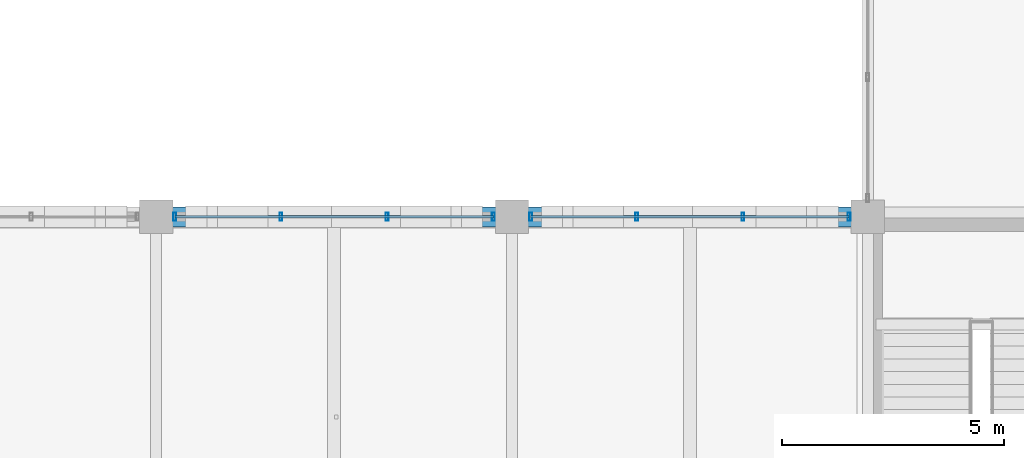
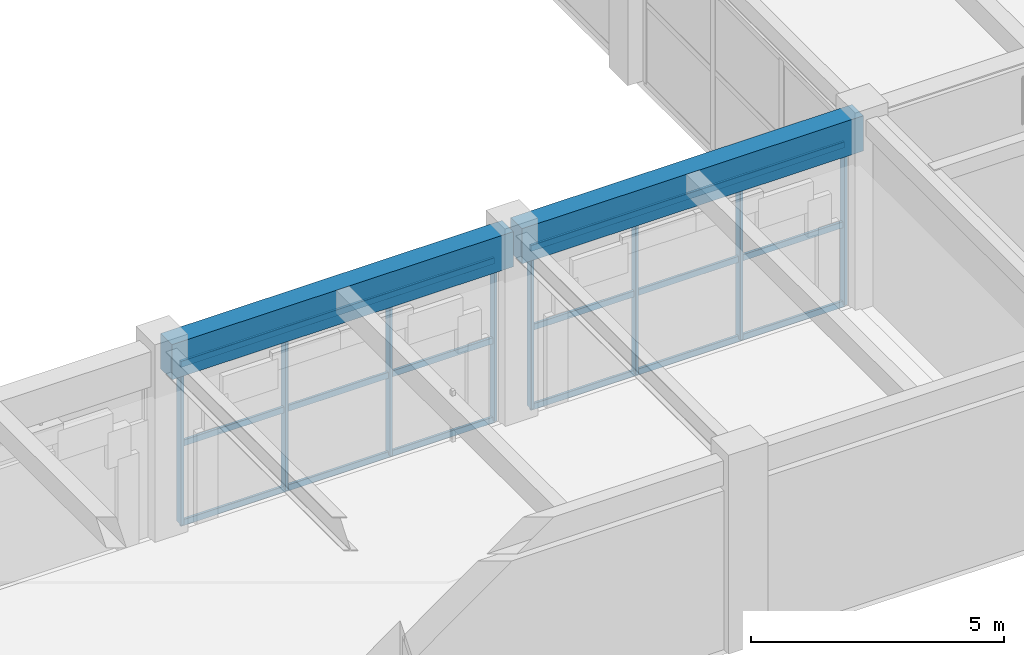
# One storey, part 73 of 144: 14 members, 2 beams, 2 elements without a shape of their own.
"""IFC4 building model written with IfcOpenShell, lengths in metres."""

from ifc_helpers import new_model, si_unit, direction, frame, origin, origin_2d, place, context, subcontext, project, spatial, rectangle, hollow_rectangle, extrude, material, material_profile, profile_set, type_object, element, aggregate, save


model = new_model("IFC4")

# Units and contexts
model_context = context("Model", 3, precision=1e-05, world=origin(), true_north=direction((0.0, 1.0)))
body_context = subcontext(model_context, "Body", "Model", "MODEL_VIEW")
ifc_project = project(units=[si_unit("LENGTHUNIT", "METRE"), si_unit("AREAUNIT", "SQUARE_METRE"), si_unit("VOLUMEUNIT", "CUBIC_METRE"), si_unit("PLANEANGLEUNIT", "RADIAN"), si_unit("MASSUNIT", "GRAM", prefix="KILO")], contexts=[model_context])

# Site, building, storey
site_placement = place(None, origin())
site = spatial("IfcSite", under=ifc_project, at=site_placement, CompositionType="ELEMENT")
building_placement = place(site_placement, origin())
building = spatial("IfcBuilding", under=site, at=building_placement, Name="Varnabhumi Central Station", CompositionType="ELEMENT")
storey_placement = place(building_placement, frame((0.0, 0.0, 4.800048828125)))
storey = spatial("IfcBuildingStorey", under=building, at=storey_placement, Name="L01", CompositionType="ELEMENT", Elevation=4.800048828125)

# Beams
ifc_material_1 = material(Name="Concrete M40", Category="concrete")
ifc_material_profile_1 = material_profile(ifc_material_1, rectangle(XDim=0.449951171875, YDim=0.85009765625, at=origin_2d()), Name="Concrete M40", Category="concrete")
ifc_profile_set_1 = profile_set([ifc_material_profile_1], Name="Concrete M40")
beam_type = type_object("IfcBeamType", Name="BM-RC-450x850", PredefinedType="BEAM", material=ifc_profile_set_1)
for number, where, z_axis, x_axis, name in (
    (1, (128.10009765625, 9.0, 4.125), (1.0, 0.0, 0.0), (0.0, 1.0, 0.0), "Beam L01-B:17-18"),
    (2, (136.10009765625, 9.0, 4.125), (1.0, 0.0, 0.0), (0.0, 1.0, 0.0), "Beam L01-B:18-19"),
):
    element("IfcBeam", number, at=place(storey_placement, frame(where, z_axis=z_axis, x_axis=x_axis)), inside=storey, type_object=beam_type, Name=name, PredefinedType="BEAM", context=body_context, shape_type="SweptSolid", body=[
        extrude(rectangle(XDim=0.449951171875, YDim=0.85009765625, at=origin_2d()), origin(), (0.0, 0.0, 1.0), 7.7998046875),
    ])

# Curtain wall, members
ifc_material_2 = material(Name="Anodised aluminium 6063-T6", Category="aluminium")
curtain_wall_type = type_object("IfcCurtainWallType", Name="CW-PATIO-LOGGIA-L1", PredefinedType="NOTDEFINED", material=ifc_material_2)
curtain_wall_1_placement = place(storey_placement, origin())
curtain_wall_1 = element("IfcCurtainWall", 3, at=curtain_wall_1_placement, inside=storey, type_object=curtain_wall_type, Name="Curtain Wall CW-SP1S3", PredefinedType="NOTDEFINED")
ifc_material_profile_2 = material_profile(ifc_material_2, hollow_rectangle(XDim=0.06494140625, YDim=0.179931640625, WallThickness=0.00390625, InnerFilletRadius=0.001953125, OuterFilletRadius=0.006103515625, at=origin_2d()), Name="Anodised aluminium 6063-T6", Category="aluminium")
ifc_profile_set_2 = profile_set([ifc_material_profile_2], Name="Anodised aluminium 6063-T6")
member_type_1 = type_object("IfcMemberType", Name="CW-MUL-180", PredefinedType="MULLION", material=ifc_profile_set_2)
member_1_placement = place(storey_placement, frame((128.419921875, 9.0, 0.0), z_axis=(0.0, 0.0, 1.0), x_axis=(1.0, 0.0, 0.0)))
member_1 = element("IfcMember", 4, at=member_1_placement, type_object=member_type_1, Name="Curtain Wall Mullion CW-SP1S3-M1", PredefinedType="MULLION", context=body_context, shape_type="SweptSolid", body=[
    extrude(hollow_rectangle(XDim=0.06494140625, YDim=0.179931640625, WallThickness=0.00390625, InnerFilletRadius=0.001953125, OuterFilletRadius=0.006103515625, at=origin_2d()), origin(), (0.0, 0.0, 1.0), 3.83984375),
])
member_2_placement = place(storey_placement, frame((130.806640625, 9.0, 0.0), z_axis=(0.0, 0.0, 1.0), x_axis=(1.0, 0.0, 0.0)))
member_2 = element("IfcMember", 5, at=member_2_placement, type_object=member_type_1, Name="Curtain Wall Mullion CW-SP1S3-M2", PredefinedType="MULLION", context=body_context, shape_type="SweptSolid", body=[
    extrude(hollow_rectangle(XDim=0.06494140625, YDim=0.179931640625, WallThickness=0.00390625, InnerFilletRadius=0.001953125, OuterFilletRadius=0.006103515625, at=origin_2d()), origin(), (0.0, 0.0, 1.0), 3.83984375),
])
member_3_placement = place(storey_placement, frame((133.193359375, 9.0, 0.0), z_axis=(0.0, 0.0, 1.0), x_axis=(1.0, 0.0, 0.0)))
member_3 = element("IfcMember", 6, at=member_3_placement, type_object=member_type_1, Name="Curtain Wall Mullion CW-SP1S3-M3", PredefinedType="MULLION", context=body_context, shape_type="SweptSolid", body=[
    extrude(hollow_rectangle(XDim=0.06494140625, YDim=0.179931640625, WallThickness=0.00390625, InnerFilletRadius=0.001953125, OuterFilletRadius=0.006103515625, at=origin_2d()), origin(), (0.0, 0.0, 1.0), 3.83984375),
])
member_4_placement = place(storey_placement, frame((135.580078125, 9.0, 0.0), z_axis=(0.0, 0.0, 1.0), x_axis=(1.0, 0.0, 0.0)))
member_4 = element("IfcMember", 7, at=member_4_placement, type_object=member_type_1, Name="Curtain Wall Mullion CW-SP1S3-M4", PredefinedType="MULLION", context=body_context, shape_type="SweptSolid", body=[
    extrude(hollow_rectangle(XDim=0.06494140625, YDim=0.179931640625, WallThickness=0.00390625, InnerFilletRadius=0.001953125, OuterFilletRadius=0.006103515625, at=origin_2d()), origin(), (0.0, 0.0, 1.0), 3.83984375),
])

curtain_wall_2_placement = place(storey_placement, origin())
curtain_wall_2 = element("IfcCurtainWall", 8, at=curtain_wall_2_placement, inside=storey, type_object=curtain_wall_type, Name="Curtain Wall CW-SP1S4", PredefinedType="NOTDEFINED")
member_5_placement = place(storey_placement, frame((136.419921875, 9.0, 0.0), z_axis=(0.0, 0.0, 1.0), x_axis=(1.0, 0.0, 0.0)))
member_5 = element("IfcMember", 9, at=member_5_placement, type_object=member_type_1, Name="Curtain Wall Mullion CW-SP1S4-M1", PredefinedType="MULLION", context=body_context, shape_type="SweptSolid", body=[
    extrude(hollow_rectangle(XDim=0.06494140625, YDim=0.179931640625, WallThickness=0.00390625, InnerFilletRadius=0.001953125, OuterFilletRadius=0.006103515625, at=origin_2d()), origin(), (0.0, 0.0, 1.0), 3.83984375),
])
member_6_placement = place(storey_placement, frame((138.806640625, 9.0, 0.0), z_axis=(0.0, 0.0, 1.0), x_axis=(1.0, 0.0, 0.0)))
member_6 = element("IfcMember", 10, at=member_6_placement, type_object=member_type_1, Name="Curtain Wall Mullion CW-SP1S4-M2", PredefinedType="MULLION", context=body_context, shape_type="SweptSolid", body=[
    extrude(hollow_rectangle(XDim=0.06494140625, YDim=0.179931640625, WallThickness=0.00390625, InnerFilletRadius=0.001953125, OuterFilletRadius=0.006103515625, at=origin_2d()), origin(), (0.0, 0.0, 1.0), 3.83984375),
])
member_7_placement = place(storey_placement, frame((141.193359375, 9.0, 0.0), z_axis=(0.0, 0.0, 1.0), x_axis=(1.0, 0.0, 0.0)))
member_7 = element("IfcMember", 11, at=member_7_placement, type_object=member_type_1, Name="Curtain Wall Mullion CW-SP1S4-M3", PredefinedType="MULLION", context=body_context, shape_type="SweptSolid", body=[
    extrude(hollow_rectangle(XDim=0.06494140625, YDim=0.179931640625, WallThickness=0.00390625, InnerFilletRadius=0.001953125, OuterFilletRadius=0.006103515625, at=origin_2d()), origin(), (0.0, 0.0, 1.0), 3.83984375),
])
member_8_placement = place(storey_placement, frame((143.580078125, 9.0, 0.0), z_axis=(0.0, 0.0, 1.0), x_axis=(1.0, 0.0, 0.0)))
member_8 = element("IfcMember", 12, at=member_8_placement, type_object=member_type_1, Name="Curtain Wall Mullion CW-SP1S4-M4", PredefinedType="MULLION", context=body_context, shape_type="SweptSolid", body=[
    extrude(hollow_rectangle(XDim=0.06494140625, YDim=0.179931640625, WallThickness=0.00390625, InnerFilletRadius=0.001953125, OuterFilletRadius=0.006103515625, at=origin_2d()), origin(), (0.0, 0.0, 1.0), 3.83984375),
])

# Member
ifc_material_profile_3 = material_profile(ifc_material_2, hollow_rectangle(XDim=0.06005859375, YDim=0.14990234375, WallThickness=0.00390625, InnerFilletRadius=0.001953125, OuterFilletRadius=0.006103515625, at=origin_2d()), Name="Anodised aluminium 6063-T6", Category="aluminium")
ifc_profile_set_3 = profile_set([ifc_material_profile_3], Name="Anodised aluminium 6063-T6")
member_type_2 = type_object("IfcMemberType", Name="CW-TR-150", PredefinedType="USERDEFINED", material=ifc_profile_set_3)
member_9_placement = place(storey_placement, frame((128.419921875, 9.0, 0.0), z_axis=(1.0, 0.0, 0.0), x_axis=(0.0, 1.0, 0.0)))
member_9 = element("IfcMember", 13, at=member_9_placement, type_object=member_type_2, Name="Curtain Wall Transom CW-SP1S3-T1", ObjectType="TRANSOM", PredefinedType="USERDEFINED", context=body_context, shape_type="SweptSolid", body=[
    extrude(hollow_rectangle(XDim=0.06005859375, YDim=0.14990234375, WallThickness=0.00390625, InnerFilletRadius=0.001953125, OuterFilletRadius=0.006103515625, at=origin_2d()), origin(), (0.0, 0.0, 1.0), 7.16015625),
])

member_10_placement = place(storey_placement, frame((128.419921875, 9.0, 1.919921875), z_axis=(1.0, 0.0, 0.0), x_axis=(0.0, 1.0, 0.0)))
member_10 = element("IfcMember", 14, at=member_10_placement, type_object=member_type_2, Name="Curtain Wall Transom CW-SP1S3-T2", ObjectType="TRANSOM", PredefinedType="USERDEFINED", context=body_context, shape_type="SweptSolid", body=[
    extrude(hollow_rectangle(XDim=0.06005859375, YDim=0.14990234375, WallThickness=0.00390625, InnerFilletRadius=0.001953125, OuterFilletRadius=0.006103515625, at=origin_2d()), origin(), (0.0, 0.0, 1.0), 7.16015625),
])

member_11_placement = place(storey_placement, frame((128.419921875, 9.0, 3.83984375), z_axis=(1.0, 0.0, 0.0), x_axis=(0.0, 1.0, 0.0)))
member_11 = element("IfcMember", 15, at=member_11_placement, type_object=member_type_2, Name="Curtain Wall Transom CW-SP1S3-T3", ObjectType="TRANSOM", PredefinedType="USERDEFINED", context=body_context, shape_type="SweptSolid", body=[
    extrude(hollow_rectangle(XDim=0.06005859375, YDim=0.14990234375, WallThickness=0.00390625, InnerFilletRadius=0.001953125, OuterFilletRadius=0.006103515625, at=origin_2d()), origin(), (0.0, 0.0, 1.0), 7.16015625),
])

aggregate(curtain_wall_1, [member_1, member_2, member_3, member_4, member_9, member_10, member_11])

member_12_placement = place(storey_placement, frame((136.419921875, 9.0, 0.0), z_axis=(1.0, 0.0, 0.0), x_axis=(0.0, 1.0, 0.0)))
member_12 = element("IfcMember", 16, at=member_12_placement, type_object=member_type_2, Name="Curtain Wall Transom CW-SP1S4-T1", ObjectType="TRANSOM", PredefinedType="USERDEFINED", context=body_context, shape_type="SweptSolid", body=[
    extrude(hollow_rectangle(XDim=0.06005859375, YDim=0.14990234375, WallThickness=0.00390625, InnerFilletRadius=0.001953125, OuterFilletRadius=0.006103515625, at=origin_2d()), origin(), (0.0, 0.0, 1.0), 7.16015625),
])

member_13_placement = place(storey_placement, frame((136.419921875, 9.0, 1.919921875), z_axis=(1.0, 0.0, 0.0), x_axis=(0.0, 1.0, 0.0)))
member_13 = element("IfcMember", 17, at=member_13_placement, type_object=member_type_2, Name="Curtain Wall Transom CW-SP1S4-T2", ObjectType="TRANSOM", PredefinedType="USERDEFINED", context=body_context, shape_type="SweptSolid", body=[
    extrude(hollow_rectangle(XDim=0.06005859375, YDim=0.14990234375, WallThickness=0.00390625, InnerFilletRadius=0.001953125, OuterFilletRadius=0.006103515625, at=origin_2d()), origin(), (0.0, 0.0, 1.0), 7.16015625),
])

member_14_placement = place(storey_placement, frame((136.419921875, 9.0, 3.83984375), z_axis=(1.0, 0.0, 0.0), x_axis=(0.0, 1.0, 0.0)))
member_14 = element("IfcMember", 18, at=member_14_placement, type_object=member_type_2, Name="Curtain Wall Transom CW-SP1S4-T3", ObjectType="TRANSOM", PredefinedType="USERDEFINED", context=body_context, shape_type="SweptSolid", body=[
    extrude(hollow_rectangle(XDim=0.06005859375, YDim=0.14990234375, WallThickness=0.00390625, InnerFilletRadius=0.001953125, OuterFilletRadius=0.006103515625, at=origin_2d()), origin(), (0.0, 0.0, 1.0), 7.16015625),
])

aggregate(curtain_wall_2, [member_5, member_6, member_7, member_8, member_12, member_13, member_14])

save(model, "model.ifc")
